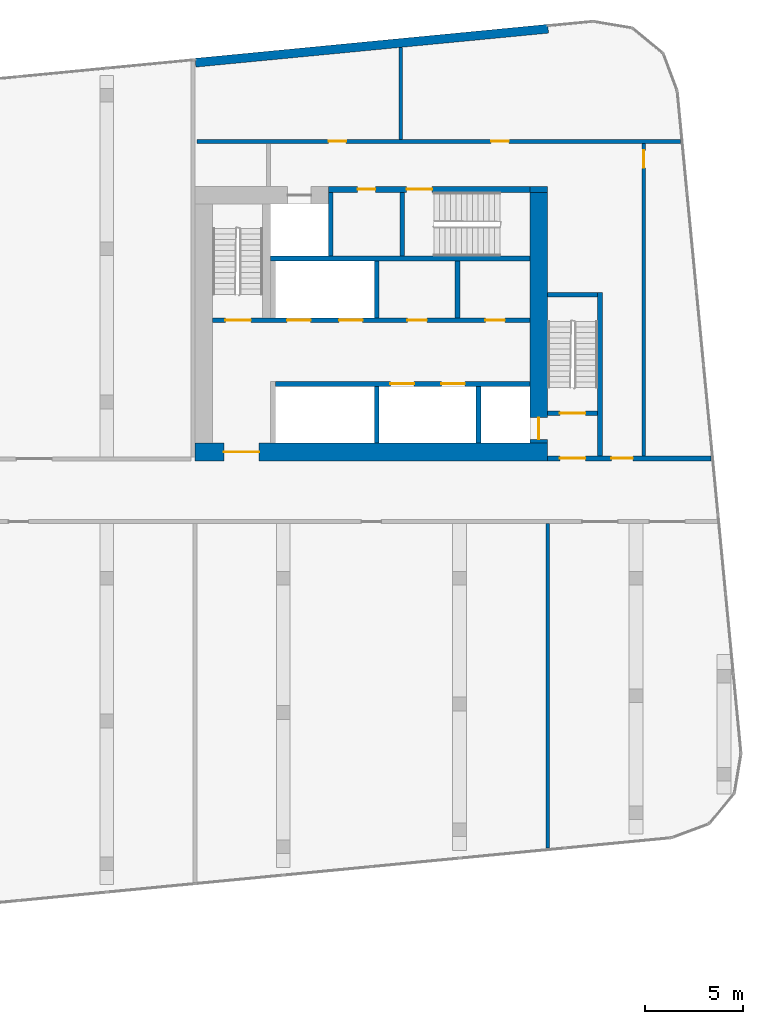
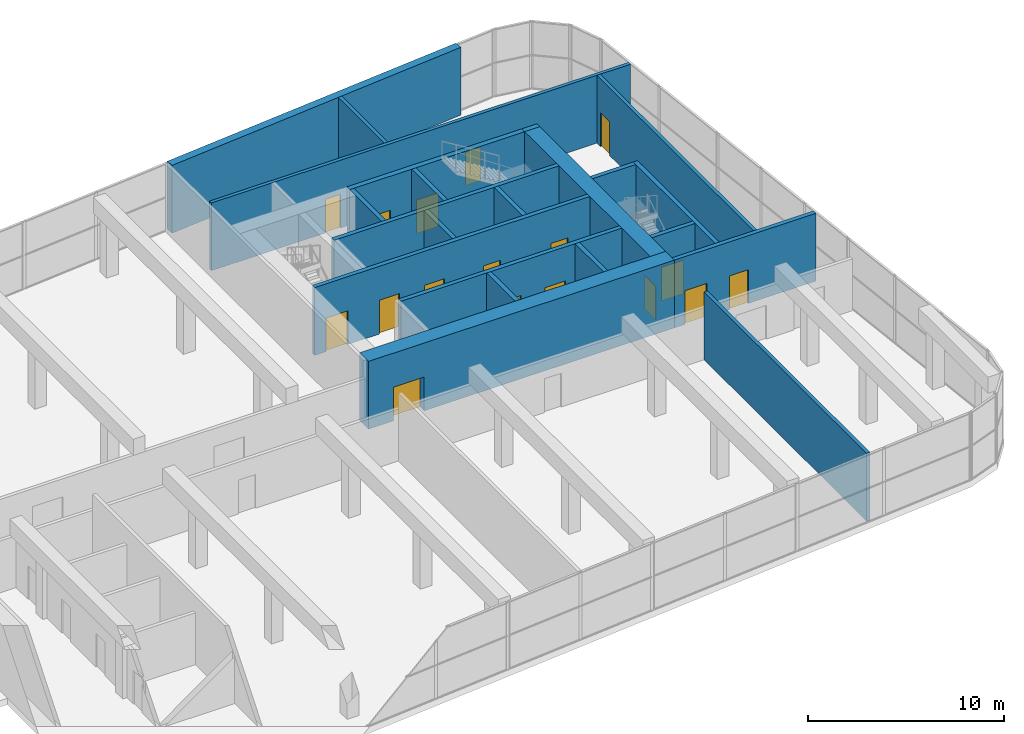
# One storey, part 16 of 21: 22 walls, 17 doors, 17 openings.
"""IFC4 building model written with IfcOpenShell, lengths in metres."""

from ifc_helpers import new_model, si_unit, direction, frame, frame_2d, origin, place, context, subcontext, project, spatial, rectangle, extrude, material, layer, layer_set, type_object, element, fill, save


model = new_model("IFC4")

# Units and contexts
model_context = context("Model", 3, precision=1e-05, world=origin(), true_north=direction((0.0, 1.0)))
body_context = subcontext(model_context, "Body", "Model", "MODEL_VIEW")
ifc_project = project(units=[si_unit("LENGTHUNIT", "METRE"), si_unit("AREAUNIT", "SQUARE_METRE"), si_unit("VOLUMEUNIT", "CUBIC_METRE"), si_unit("PLANEANGLEUNIT", "RADIAN"), si_unit("MASSUNIT", "GRAM", prefix="KILO")], contexts=[model_context])

# Site, building, storey
site_placement = place(None, origin())
site = spatial("IfcSite", under=ifc_project, at=site_placement, CompositionType="ELEMENT")
building_placement = place(site_placement, origin())
building = spatial("IfcBuilding", under=site, at=building_placement, Name="Kajstack Hotel Tower", CompositionType="ELEMENT")
storey_placement = place(building_placement, frame((0.0, 0.0, 162.39990234375)))
storey = spatial("IfcBuildingStorey", under=building, at=storey_placement, Name="L37", CompositionType="ELEMENT", Elevation=162.39990234375)

# Wall, opening, door
ifc_material_1 = material(Name="Concrete C60/75", Category="concrete")
ifc_layer_1 = layer(ifc_material_1, 0.89990234375)
ifc_layer_set_1 = layer_set([ifc_layer_1], Name="Core wall 900")
wall_type_1 = type_object("IfcWallType", Name="Core wall 900", PredefinedType="SHEAR", material=ifc_layer_set_1)
wall_1_placement = place(storey_placement, frame((13.5, 1.949951171875, 0.0), z_axis=(0.0, 0.0, 1.0), x_axis=(1.0, 0.0, 0.0)))
wall_1 = element("IfcWall", 1, at=wall_1_placement, inside=storey, type_object=wall_type_1, Name="Core wall E RN", PredefinedType="SHEAR", context=body_context, shape_type="SweptSolid", body=[
    extrude(rectangle(XDim=18.0, YDim=0.89990234375, at=frame_2d((9.0, 0.0))), origin(), (0.0, 0.0, 1.0), 4.22021484375),
])
opening_1_placement = place(wall_1_placement, frame((1.47509765625, 0.0, 0.0)))
opening_1 = element("IfcOpeningElement", 2, at=opening_1_placement, cuts=wall_1, Name="Opening 37E07", PredefinedType="OPENING", context=body_context, shape_type="SweptSolid", body=[
    extrude(rectangle(XDim=1.800048828125, YDim=2.10009765625, at=frame_2d((0.89990234375, 1.050048828125))), frame((0.0, 0.4599609375, 0.0), z_axis=(0.0, -1.0, 0.0), x_axis=(1.0, 0.0, 0.0)), (0.0, 0.0, 1.0), 0.919921875),
])
ifc_material_2 = material(Name="Glazed steel frame, fire-rated glass", Category="steel")
door_type_1 = type_object("IfcDoorType", Name="Lobby double door 1800", OperationType="DOUBLE_DOOR_DOUBLE_SWING", PredefinedType="DOOR", material=ifc_material_2)
door_1_placement = place(opening_1_placement, origin())
door_1 = element("IfcDoor", 3, at=door_1_placement, inside=storey, type_object=door_type_1, Name="Door 37E07", OperationType="DOUBLE_DOOR_DOUBLE_SWING", OverallHeight=2.10009765625, OverallWidth=1.800048828125, PredefinedType="DOOR", context=body_context, shape_type="SweptSolid", body=[
    extrude(rectangle(XDim=1.800048828125, YDim=2.10009765625, at=frame_2d((0.89990234375, 1.050048828125))), frame((0.0, 0.02490234375, 0.0), z_axis=(0.0, -1.0, 0.0), x_axis=(1.0, 0.0, 0.0)), (0.0, 0.0, 1.0), 0.050048828125),
])
fill(opening_1, door_1)

# Wall
wall_2_placement = place(storey_placement, frame((30.60009765625, 15.35009765625, 0.0), z_axis=(0.0, 0.0, 1.0), x_axis=(1.0, 0.0, 0.0)))
element("IfcWall", 4, at=wall_2_placement, inside=storey, type_object=wall_type_1, Name="Core wall E RSW", PredefinedType="SHEAR", context=body_context, shape_type="SweptSolid", body=[
    extrude(rectangle(XDim=0.89990234375, YDim=0.300048828125, at=frame_2d((0.449951171875, 0.0))), origin(), (0.0, 0.0, 1.0), 4.22021484375),
])

# Wall, opening, door
wall_3_placement = place(storey_placement, frame((31.050048828125, 2.39990234375, 0.0), z_axis=(0.0, 0.0, 1.0), x_axis=(0.0, 1.0, 0.0)))
wall_3 = element("IfcWall", 5, at=wall_3_placement, inside=storey, type_object=wall_type_1, Name="Core wall E RW", PredefinedType="SHEAR", context=body_context, shape_type="SweptSolid", body=[
    extrude(rectangle(XDim=12.800048828125, YDim=0.89990234375, at=frame_2d((6.39990234375, 0.0))), origin(), (0.0, 0.0, 1.0), 4.22021484375),
])
opening_2_placement = place(wall_3_placement, frame((0.199951171875, 0.0, 0.0)))
opening_2 = element("IfcOpeningElement", 6, at=opening_2_placement, cuts=wall_3, Name="Opening LD-FF2", PredefinedType="OPENING", context=body_context, shape_type="SweptSolid", body=[
    extrude(rectangle(XDim=1.10009765625, YDim=2.10009765625, at=frame_2d((0.550048828125, 1.050048828125))), frame((0.0, 0.4599609375, 0.0), z_axis=(0.0, -1.0, 0.0), x_axis=(1.0, 0.0, 0.0)), (0.0, 0.0, 1.0), 0.919921875),
])
ifc_material_3 = material(Name="Stainless steel", Category="steel")
door_type_2 = type_object("IfcDoorType", Name="Fire-fighting lift landing door 1100", OperationType="SLIDING_TO_LEFT", PredefinedType="DOOR", material=ifc_material_3)
door_2_placement = place(opening_2_placement, origin())
door_2 = element("IfcDoor", 7, at=door_2_placement, inside=storey, type_object=door_type_2, Name="Landing door FF2", OperationType="SLIDING_TO_LEFT", OverallHeight=2.10009765625, OverallWidth=1.10009765625, PredefinedType="DOOR", context=body_context, shape_type="SweptSolid", body=[
    extrude(rectangle(XDim=1.10009765625, YDim=2.10009765625, at=frame_2d((0.550048828125, 1.050048828125))), frame((0.0, 0.02490234375, 0.0), z_axis=(0.0, -1.0, 0.0), x_axis=(1.0, 0.0, 0.0)), (0.0, 0.0, 1.0), 0.050048828125),
])
fill(opening_2, door_2)

# Walls
ifc_material_4 = material(Name="Concrete C40/50", Category="concrete")
ifc_layer_2 = layer(ifc_material_4, 0.449951171875)
ifc_layer_set_2 = layer_set([ifc_layer_2], Name="EW-CORE")
wall_type_2 = type_object("IfcWallType", Name="EW-CORE", PredefinedType="SOLIDWALL", material=ifc_layer_set_2)
wall_4_placement = place(storey_placement, frame((31.521484375, 23.55078125, 0.0), z_axis=(0.0, 0.0, 1.0), x_axis=(-0.995395166513, -0.095856468129, 0.0)))
element("IfcWall", 8, at=wall_4_placement, inside=storey, type_object=wall_type_2, Name="E-wall-L37-12-01", PredefinedType="SOLIDWALL", context=body_context, shape_type="SweptSolid", body=[
    extrude(rectangle(XDim=18.083251953125, YDim=0.449951171875, at=frame_2d((9.04150390625, 0.0))), origin(), (0.0, 0.0, 1.0), 4.22021484375),
])
ifc_material_5 = material(Name="Concrete C50/60", Category="concrete")
ifc_layer_3 = layer(ifc_material_5, 0.300048828125)
ifc_layer_set_3 = layer_set([ifc_layer_3], Name="Hoistway divider wall 300")
wall_type_3 = type_object("IfcWallType", Name="Hoistway divider wall 300", PredefinedType="SHEAR", material=ifc_layer_set_3)
wall_5_placement = place(storey_placement, frame((22.77490234375, 2.39990234375, 0.0), z_axis=(0.0, 0.0, 1.0), x_axis=(0.0, 1.0, 0.0)))
element("IfcWall", 9, at=wall_5_placement, inside=storey, type_object=wall_type_3, Name="Core wall E AP2", PredefinedType="SHEAR", context=body_context, shape_type="SweptSolid", body=[
    extrude(rectangle(XDim=2.900146484375, YDim=0.25, at=frame_2d((1.4501953125, 0.0))), origin(), (0.0, 0.0, 1.0), 4.22021484375),
])
wall_6_placement = place(storey_placement, frame((22.77490234375, 8.800048828125, 0.0), z_axis=(0.0, 0.0, 1.0), x_axis=(0.0, 1.0, 0.0)))
element("IfcWall", 10, at=wall_6_placement, inside=storey, type_object=wall_type_3, Name="Core wall E BP2", PredefinedType="SHEAR", context=body_context, shape_type="SweptSolid", body=[
    extrude(rectangle(XDim=2.89990234375, YDim=0.25, at=frame_2d((1.449951171875, 0.0))), origin(), (0.0, 0.0, 1.0), 4.22021484375),
])
ifc_material_6 = material(Name="Gypsum board on steel studs, mineral wool", Category="steel")
ifc_layer_4 = layer(ifc_material_6, 0.199951171875)
ifc_layer_set_4 = layer_set([ifc_layer_4], Name="Public partition 200")
wall_type_4 = type_object("IfcWallType", Name="Public partition 200", PredefinedType="PARTITIONING", material=ifc_layer_set_4)
wall_7_placement = place(storey_placement, frame((31.5, -18.268798828125, 0.0), z_axis=(0.0, 0.0, 1.0), x_axis=(0.0, 1.0, 0.0)))
element("IfcWall", 11, at=wall_7_placement, inside=storey, type_object=wall_type_4, Name="Partition SPX2", PredefinedType="PARTITIONING", context=body_context, shape_type="SweptSolid", body=[
    extrude(rectangle(XDim=16.56884765625, YDim=0.199951171875, at=frame_2d((8.284423828125, 0.0))), origin(), (0.0, 0.0, 1.0), 4.22021484375),
])
ifc_material_7 = material(Name="Concrete block masonry", Category="masonry")
ifc_layer_5 = layer(ifc_material_7, 0.25)
ifc_layer_set_5 = layer_set([ifc_layer_5], Name="Riser partition 250")
wall_type_5 = type_object("IfcWallType", Name="Riser partition 250", PredefinedType="PARTITIONING", material=ifc_layer_set_5)
wall_8_placement = place(storey_placement, frame((26.89990234375, 8.800048828125, 0.0), z_axis=(0.0, 0.0, 1.0), x_axis=(0.0, 1.0, 0.0)))
element("IfcWall", 12, at=wall_8_placement, inside=storey, type_object=wall_type_5, Name="Partition E BF0", PredefinedType="PARTITIONING", context=body_context, shape_type="SweptSolid", body=[
    extrude(rectangle(XDim=2.89990234375, YDim=0.25, at=frame_2d((1.449951171875, 0.0))), origin(), (0.0, 0.0, 1.0), 4.22021484375),
])

# Wall, openings, doors
ifc_layer_6 = layer(ifc_material_6, 0.199951171875)
ifc_layer_set_6 = layer_set([ifc_layer_6], Name="Service partition 200")
wall_type_6 = type_object("IfcWallType", Name="Service partition 200", PredefinedType="PARTITIONING", material=ifc_layer_set_6)
wall_9_placement = place(storey_placement, frame((31.5, 1.625, 0.0), z_axis=(0.0, 0.0, 1.0), x_axis=(1.0, 0.0, 0.0)))
wall_9 = element("IfcWall", 13, at=wall_9_placement, inside=storey, type_object=wall_type_6, Name="Partition E SN", PredefinedType="PARTITIONING", context=body_context, shape_type="SweptSolid", body=[
    extrude(rectangle(XDim=8.336669921875, YDim=0.25, at=frame_2d((4.16845703125, 0.0))), origin(), (0.0, 0.0, 1.0), 4.22021484375),
])
opening_3_placement = place(wall_9_placement, frame((0.625, 0.0, 0.0)))
opening_3 = element("IfcOpeningElement", 14, at=opening_3_placement, cuts=wall_9, Name="Opening 37E08", PredefinedType="OPENING", context=body_context, shape_type="SweptSolid", body=[
    extrude(rectangle(XDim=1.300048828125, YDim=2.10009765625, at=frame_2d((0.64990234375, 1.050048828125))), frame((0.0, 0.135009765625, 0.0), z_axis=(0.0, -1.0, 0.0), x_axis=(1.0, 0.0, 0.0)), (0.0, 0.0, 1.0), 0.27001953125),
])
opening_4_placement = place(wall_9_placement, frame((3.25, 0.0, 0.0)))
opening_4 = element("IfcOpeningElement", 15, at=opening_4_placement, cuts=wall_9, Name="Opening 37E10", PredefinedType="OPENING", context=body_context, shape_type="SweptSolid", body=[
    extrude(rectangle(XDim=1.10009765625, YDim=2.10009765625, at=frame_2d((0.550048828125, 1.050048828125))), frame((0.0, 0.135009765625, 0.0), z_axis=(0.0, -1.0, 0.0), x_axis=(1.0, 0.0, 0.0)), (0.0, 0.0, 1.0), 0.27001953125),
])
ifc_material_8 = material(Name="Steel leaf, fire-rated", Category="steel")
door_type_3 = type_object("IfcDoorType", Name="Fire lobby door 1300", OperationType="SINGLE_SWING_LEFT", PredefinedType="DOOR", material=ifc_material_8)
door_3_placement = place(opening_3_placement, origin())
door_3 = element("IfcDoor", 16, at=door_3_placement, inside=storey, type_object=door_type_3, Name="Door 37E08", OperationType="SINGLE_SWING_LEFT", OverallHeight=2.10009765625, OverallWidth=1.300048828125, PredefinedType="DOOR", context=body_context, shape_type="SweptSolid", body=[
    extrude(rectangle(XDim=1.300048828125, YDim=2.10009765625, at=frame_2d((0.64990234375, 1.050048828125))), frame((0.0, 0.02490234375, 0.0), z_axis=(0.0, -1.0, 0.0), x_axis=(1.0, 0.0, 0.0)), (0.0, 0.0, 1.0), 0.050048828125),
])
fill(opening_3, door_3)
ifc_material_9 = material(Name="Timber leaf, fire-rated", Category="wood")
door_type_4 = type_object("IfcDoorType", Name="Service corridor door 1100", OperationType="SINGLE_SWING_LEFT", PredefinedType="DOOR", material=ifc_material_9)
door_4_placement = place(opening_4_placement, origin())
door_4 = element("IfcDoor", 17, at=door_4_placement, inside=storey, type_object=door_type_4, Name="Door 37E10", OperationType="SINGLE_SWING_LEFT", OverallHeight=2.10009765625, OverallWidth=1.10009765625, PredefinedType="DOOR", context=body_context, shape_type="SweptSolid", body=[
    extrude(rectangle(XDim=1.10009765625, YDim=2.10009765625, at=frame_2d((0.550048828125, 1.050048828125))), frame((0.0, 0.02490234375, 0.0), z_axis=(0.0, -1.0, 0.0), x_axis=(1.0, 0.0, 0.0)), (0.0, 0.0, 1.0), 0.050048828125),
])
fill(opening_4, door_4)

# Wall, opening, door
wall_10_placement = place(storey_placement, frame((36.39990234375, 1.75, 0.0), z_axis=(0.0, 0.0, 1.0), x_axis=(0.0, 1.0, 0.0)))
wall_10 = element("IfcWall", 18, at=wall_10_placement, inside=storey, type_object=wall_type_6, Name="Partition E WRE", PredefinedType="PARTITIONING", context=body_context, shape_type="SweptSolid", body=[
    extrude(rectangle(XDim=15.949951171875, YDim=0.199951171875, at=frame_2d((7.97509765625, 0.0))), origin(), (0.0, 0.0, 1.0), 4.22021484375),
])
opening_5_placement = place(wall_10_placement, frame((14.699951171875, 0.0, 0.0)))
opening_5 = element("IfcOpeningElement", 19, at=opening_5_placement, cuts=wall_10, Name="Opening 37E18", PredefinedType="OPENING", context=body_context, shape_type="SweptSolid", body=[
    extrude(rectangle(XDim=0.89990234375, YDim=2.10009765625, at=frame_2d((0.449951171875, 1.050048828125))), frame((0.0, 0.10986328125, 0.0), z_axis=(0.0, -1.0, 0.0), x_axis=(1.0, 0.0, 0.0)), (0.0, 0.0, 1.0), 0.219970703125),
])
door_type_5 = type_object("IfcDoorType", Name="Service door 900", OperationType="SINGLE_SWING_LEFT", PredefinedType="DOOR", material=ifc_material_9)
door_5_placement = place(opening_5_placement, origin())
door_5 = element("IfcDoor", 20, at=door_5_placement, inside=storey, type_object=door_type_5, Name="Door 37E18", OperationType="SINGLE_SWING_RIGHT", OverallHeight=2.10009765625, OverallWidth=0.89990234375, PredefinedType="DOOR", context=body_context, shape_type="SweptSolid", body=[
    extrude(rectangle(XDim=0.89990234375, YDim=2.10009765625, at=frame_2d((0.449951171875, 1.050048828125))), frame((0.0, 0.02490234375, 0.0), z_axis=(0.0, -1.0, 0.0), x_axis=(1.0, 0.0, 0.0)), (0.0, 0.0, 1.0), 0.050048828125),
])
fill(opening_5, door_5)

# Wall, openings, doors
wall_11_placement = place(storey_placement, frame((13.60009765625, 17.800048828125, 0.0), z_axis=(0.0, 0.0, 1.0), x_axis=(1.0, 0.0, 0.0)))
wall_11 = element("IfcWall", 21, at=wall_11_placement, inside=storey, type_object=wall_type_6, Name="Partition E SLN", PredefinedType="PARTITIONING", context=body_context, shape_type="SweptSolid", body=[
    extrude(rectangle(XDim=24.67919921875, YDim=0.199951171875, at=frame_2d((12.339599609375, 0.0))), origin(), (0.0, 0.0, 1.0), 4.22021484375),
])
opening_6_placement = place(wall_11_placement, frame((15.012451171875, 0.0, 0.0)))
opening_6 = element("IfcOpeningElement", 22, at=opening_6_placement, cuts=wall_11, Name="Opening 37E16", PredefinedType="OPENING", context=body_context, shape_type="SweptSolid", body=[
    extrude(rectangle(XDim=0.89990234375, YDim=2.10009765625, at=frame_2d((0.449951171875, 1.050048828125))), frame((0.0, 0.10986328125, 0.0), z_axis=(0.0, -1.0, 0.0), x_axis=(1.0, 0.0, 0.0)), (0.0, 0.0, 1.0), 0.219970703125),
])
opening_7_placement = place(wall_11_placement, frame((6.71240234375, 0.0, 0.0)))
opening_7 = element("IfcOpeningElement", 23, at=opening_7_placement, cuts=wall_11, Name="Opening 37E17", PredefinedType="OPENING", context=body_context, shape_type="SweptSolid", body=[
    extrude(rectangle(XDim=0.89990234375, YDim=2.10009765625, at=frame_2d((0.449951171875, 1.050048828125))), frame((0.0, 0.10986328125, 0.0), z_axis=(0.0, -1.0, 0.0), x_axis=(1.0, 0.0, 0.0)), (0.0, 0.0, 1.0), 0.219970703125),
])
door_6_placement = place(opening_6_placement, origin())
door_6 = element("IfcDoor", 24, at=door_6_placement, inside=storey, type_object=door_type_5, Name="Door 37E16", OperationType="SINGLE_SWING_LEFT", OverallHeight=2.10009765625, OverallWidth=0.89990234375, PredefinedType="DOOR", context=body_context, shape_type="SweptSolid", body=[
    extrude(rectangle(XDim=0.89990234375, YDim=2.10009765625, at=frame_2d((0.449951171875, 1.050048828125))), frame((0.0, 0.02490234375, 0.0), z_axis=(0.0, -1.0, 0.0), x_axis=(1.0, 0.0, 0.0)), (0.0, 0.0, 1.0), 0.050048828125),
])
fill(opening_6, door_6)
door_7_placement = place(opening_7_placement, origin())
door_7 = element("IfcDoor", 25, at=door_7_placement, inside=storey, type_object=door_type_5, Name="Door 37E17", OperationType="SINGLE_SWING_LEFT", OverallHeight=2.10009765625, OverallWidth=0.89990234375, PredefinedType="DOOR", context=body_context, shape_type="SweptSolid", body=[
    extrude(rectangle(XDim=0.89990234375, YDim=2.10009765625, at=frame_2d((0.449951171875, 1.050048828125))), frame((0.0, 0.02490234375, 0.0), z_axis=(0.0, -1.0, 0.0), x_axis=(1.0, 0.0, 0.0)), (0.0, 0.0, 1.0), 0.050048828125),
])
fill(opening_7, door_7)

# Wall
wall_12_placement = place(storey_placement, frame((24.0, 17.89990234375, 0.0), z_axis=(0.0, 0.0, 1.0), x_axis=(0.0, 1.0, 0.0)))
element("IfcWall", 26, at=wall_12_placement, inside=storey, type_object=wall_type_6, Name="Partition E SLP0", PredefinedType="PARTITIONING", context=body_context, shape_type="SweptSolid", body=[
    extrude(rectangle(XDim=4.701416015625, YDim=0.199951171875, at=frame_2d((2.3505859375, 0.0))), origin(), (0.0, 0.0, 1.0), 4.22021484375),
])

# Wall, openings, doors
ifc_layer_7 = layer(ifc_material_5, 0.25)
ifc_layer_set_7 = layer_set([ifc_layer_7], Name="Shaft wall 250")
wall_type_7 = type_object("IfcWallType", Name="Shaft wall 250", PredefinedType="SHEAR", material=ifc_layer_set_7)
wall_13_placement = place(storey_placement, frame((20.300048828125, 15.35009765625, 0.0), z_axis=(0.0, 0.0, 1.0), x_axis=(1.0, 0.0, 0.0)))
wall_13 = element("IfcWall", 27, at=wall_13_placement, inside=storey, type_object=wall_type_7, Name="Core wall E RSS", PredefinedType="SHEAR", context=body_context, shape_type="SweptSolid", body=[
    extrude(rectangle(XDim=10.300048828125, YDim=0.300048828125, at=frame_2d((5.14990234375, 0.0))), origin(), (0.0, 0.0, 1.0), 4.22021484375),
])
opening_8_placement = place(wall_13_placement, frame((4.0, 0.0, 0.0)))
opening_8 = element("IfcOpeningElement", 28, at=opening_8_placement, cuts=wall_13, Name="Opening 37E12", PredefinedType="OPENING", context=body_context, shape_type="SweptSolid", body=[
    extrude(rectangle(XDim=1.300048828125, YDim=2.10009765625, at=frame_2d((0.64990234375, 1.050048828125))), frame((0.0, 0.159912109375, 0.0), z_axis=(0.0, -1.0, 0.0), x_axis=(1.0, 0.0, 0.0)), (0.0, 0.0, 1.0), 0.320068359375),
])
opening_9_placement = place(wall_13_placement, frame((1.5, 0.0, 0.0)))
opening_9 = element("IfcOpeningElement", 29, at=opening_9_placement, cuts=wall_13, Name="Opening 37E13", PredefinedType="OPENING", context=body_context, shape_type="SweptSolid", body=[
    extrude(rectangle(XDim=0.89990234375, YDim=2.10009765625, at=frame_2d((0.449951171875, 1.050048828125))), frame((0.0, 0.159912109375, 0.0), z_axis=(0.0, -1.0, 0.0), x_axis=(1.0, 0.0, 0.0)), (0.0, 0.0, 1.0), 0.320068359375),
])
door_8_placement = place(opening_9_placement, origin())
door_8 = element("IfcDoor", 30, at=door_8_placement, inside=storey, type_object=door_type_5, Name="Door 37E13", OperationType="SINGLE_SWING_RIGHT", OverallHeight=2.10009765625, OverallWidth=0.89990234375, PredefinedType="DOOR", context=body_context, shape_type="SweptSolid", body=[
    extrude(rectangle(XDim=0.89990234375, YDim=2.10009765625, at=frame_2d((0.449951171875, 1.050048828125))), frame((0.0, 0.02490234375, 0.0), z_axis=(0.0, -1.0, 0.0), x_axis=(1.0, 0.0, 0.0)), (0.0, 0.0, 1.0), 0.050048828125),
])
fill(opening_9, door_8)
door_type_6 = type_object("IfcDoorType", Name="Stair door 1300", OperationType="SINGLE_SWING_LEFT", PredefinedType="DOOR", material=ifc_material_8)
door_9_placement = place(opening_8_placement, origin())
door_9 = element("IfcDoor", 31, at=door_9_placement, inside=storey, type_object=door_type_6, Name="Door 37E12", OperationType="SINGLE_SWING_LEFT", OverallHeight=2.10009765625, OverallWidth=1.300048828125, PredefinedType="DOOR", context=body_context, shape_type="SweptSolid", body=[
    extrude(rectangle(XDim=1.300048828125, YDim=2.10009765625, at=frame_2d((0.64990234375, 1.050048828125))), frame((0.0, 0.02490234375, 0.0), z_axis=(0.0, -1.0, 0.0), x_axis=(1.0, 0.0, 0.0)), (0.0, 0.0, 1.0), 0.050048828125),
])
fill(opening_8, door_9)

wall_14_placement = place(storey_placement, frame((17.60009765625, 5.425048828125, 0.0), z_axis=(0.0, 0.0, 1.0), x_axis=(1.0, 0.0, 0.0)))
wall_14 = element("IfcWall", 32, at=wall_14_placement, inside=storey, type_object=wall_type_7, Name="Core wall E FA", PredefinedType="SHEAR", context=body_context, shape_type="SweptSolid", body=[
    extrude(rectangle(XDim=13.0, YDim=0.25, at=frame_2d((6.5, 0.0))), origin(), (0.0, 0.0, 1.0), 4.22021484375),
])
opening_10_placement = place(wall_14_placement, frame((8.47509765625, 0.0, 0.0)))
opening_10 = element("IfcOpeningElement", 33, at=opening_10_placement, cuts=wall_14, Name="Opening LD-MR7", PredefinedType="OPENING", context=body_context, shape_type="SweptSolid", body=[
    extrude(rectangle(XDim=1.199951171875, YDim=2.10009765625, at=frame_2d((0.60009765625, 1.050048828125))), frame((0.0, 0.135009765625, 0.0), z_axis=(0.0, -1.0, 0.0), x_axis=(1.0, 0.0, 0.0)), (0.0, 0.0, 1.0), 0.27001953125),
])
opening_11_placement = place(wall_14_placement, frame((5.875, 0.0, 0.0)))
opening_11 = element("IfcOpeningElement", 34, at=opening_11_placement, cuts=wall_14, Name="Opening LD-MR8", PredefinedType="OPENING", context=body_context, shape_type="SweptSolid", body=[
    extrude(rectangle(XDim=1.199951171875, YDim=2.10009765625, at=frame_2d((0.60009765625, 1.050048828125))), frame((0.0, 0.135009765625, 0.0), z_axis=(0.0, -1.0, 0.0), x_axis=(1.0, 0.0, 0.0)), (0.0, 0.0, 1.0), 0.27001953125),
])
door_type_7 = type_object("IfcDoorType", Name="Lift landing door 1200", OperationType="SLIDING_TO_LEFT", PredefinedType="DOOR", material=ifc_material_3)
door_10_placement = place(opening_10_placement, origin())
door_10 = element("IfcDoor", 35, at=door_10_placement, inside=storey, type_object=door_type_7, Name="Landing door MR7", OperationType="SLIDING_TO_LEFT", OverallHeight=2.10009765625, OverallWidth=1.199951171875, PredefinedType="DOOR", context=body_context, shape_type="SweptSolid", body=[
    extrude(rectangle(XDim=1.199951171875, YDim=2.10009765625, at=frame_2d((0.60009765625, 1.050048828125))), frame((0.0, 0.02490234375, 0.0), z_axis=(0.0, -1.0, 0.0), x_axis=(1.0, 0.0, 0.0)), (0.0, 0.0, 1.0), 0.050048828125),
])
fill(opening_10, door_10)
door_11_placement = place(opening_11_placement, origin())
door_11 = element("IfcDoor", 36, at=door_11_placement, inside=storey, type_object=door_type_7, Name="Landing door MR8", OperationType="SLIDING_TO_RIGHT", OverallHeight=2.10009765625, OverallWidth=1.199951171875, PredefinedType="DOOR", context=body_context, shape_type="SweptSolid", body=[
    extrude(rectangle(XDim=1.199951171875, YDim=2.10009765625, at=frame_2d((0.60009765625, 1.050048828125))), frame((0.0, 0.02490234375, 0.0), z_axis=(0.0, -1.0, 0.0), x_axis=(1.0, 0.0, 0.0)), (0.0, 0.0, 1.0), 0.050048828125),
])
fill(opening_11, door_11)

# Wall
wall_15_placement = place(storey_placement, frame((27.97509765625, 2.39990234375, 0.0), z_axis=(0.0, 0.0, 1.0), x_axis=(0.0, 1.0, 0.0)))
element("IfcWall", 37, at=wall_15_placement, inside=storey, type_object=wall_type_7, Name="Core wall E AP0", PredefinedType="SHEAR", context=body_context, shape_type="SweptSolid", body=[
    extrude(rectangle(XDim=2.900146484375, YDim=0.25, at=frame_2d((1.4501953125, 0.0))), origin(), (0.0, 0.0, 1.0), 4.22021484375),
])

# Wall, openings, doors
wall_16_placement = place(storey_placement, frame((14.39990234375, 8.675048828125, 0.0), z_axis=(0.0, 0.0, 1.0), x_axis=(1.0, 0.0, 0.0)))
wall_16 = element("IfcWall", 38, at=wall_16_placement, inside=storey, type_object=wall_type_7, Name="Core wall E FB", PredefinedType="SHEAR", context=body_context, shape_type="SweptSolid", body=[
    extrude(rectangle(XDim=16.2001953125, YDim=0.25, at=frame_2d((8.10009765625, 0.0))), origin(), (0.0, 0.0, 1.0), 4.22021484375),
])
opening_12_placement = place(wall_16_placement, frame((6.449951171875, 0.0, 0.0)))
opening_12 = element("IfcOpeningElement", 39, at=opening_12_placement, cuts=wall_16, Name="Opening LD-MR5", PredefinedType="OPENING", context=body_context, shape_type="SweptSolid", body=[
    extrude(rectangle(XDim=1.199951171875, YDim=2.10009765625, at=frame_2d((0.60009765625, 1.050048828125))), frame((0.0, 0.135009765625, 0.0), z_axis=(0.0, -1.0, 0.0), x_axis=(1.0, 0.0, 0.0)), (0.0, 0.0, 1.0), 0.27001953125),
])
opening_13_placement = place(wall_16_placement, frame((3.800048828125, 0.0, 0.0)))
opening_13 = element("IfcOpeningElement", 40, at=opening_13_placement, cuts=wall_16, Name="Opening LD-MR6", PredefinedType="OPENING", context=body_context, shape_type="SweptSolid", body=[
    extrude(rectangle(XDim=1.199951171875, YDim=2.10009765625, at=frame_2d((0.60009765625, 1.050048828125))), frame((0.0, 0.135009765625, 0.0), z_axis=(0.0, -1.0, 0.0), x_axis=(1.0, 0.0, 0.0)), (0.0, 0.0, 1.0), 0.27001953125),
])
opening_14_placement = place(wall_16_placement, frame((0.64990234375, 0.0, 0.0)))
opening_14 = element("IfcOpeningElement", 41, at=opening_14_placement, cuts=wall_16, Name="Opening 37E11", PredefinedType="OPENING", context=body_context, shape_type="SweptSolid", body=[
    extrude(rectangle(XDim=1.300048828125, YDim=2.10009765625, at=frame_2d((0.64990234375, 1.050048828125))), frame((0.0, 0.135009765625, 0.0), z_axis=(0.0, -1.0, 0.0), x_axis=(1.0, 0.0, 0.0)), (0.0, 0.0, 1.0), 0.27001953125),
])
opening_15_placement = place(wall_16_placement, frame((13.91259765625, 0.0, 0.0)))
opening_15 = element("IfcOpeningElement", 42, at=opening_15_placement, cuts=wall_16, Name="Opening 37E14", PredefinedType="OPENING", context=body_context, shape_type="SweptSolid", body=[
    extrude(rectangle(XDim=1.0, YDim=2.10009765625, at=frame_2d((0.5, 1.050048828125))), frame((0.0, 0.135009765625, 0.0), z_axis=(0.0, -1.0, 0.0), x_axis=(1.0, 0.0, 0.0)), (0.0, 0.0, 1.0), 0.27001953125),
])
opening_16_placement = place(wall_16_placement, frame((9.9375, 0.0, 0.0)))
opening_16 = element("IfcOpeningElement", 43, at=opening_16_placement, cuts=wall_16, Name="Opening 37E15", PredefinedType="OPENING", context=body_context, shape_type="SweptSolid", body=[
    extrude(rectangle(XDim=1.0, YDim=2.10009765625, at=frame_2d((0.5, 1.050048828125))), frame((0.0, 0.135009765625, 0.0), z_axis=(0.0, -1.0, 0.0), x_axis=(1.0, 0.0, 0.0)), (0.0, 0.0, 1.0), 0.27001953125),
])
door_12_placement = place(opening_12_placement, origin())
door_12 = element("IfcDoor", 44, at=door_12_placement, inside=storey, type_object=door_type_7, Name="Landing door MR5", OperationType="SLIDING_TO_LEFT", OverallHeight=2.10009765625, OverallWidth=1.199951171875, PredefinedType="DOOR", context=body_context, shape_type="SweptSolid", body=[
    extrude(rectangle(XDim=1.199951171875, YDim=2.10009765625, at=frame_2d((0.60009765625, 1.050048828125))), frame((0.0, 0.02490234375, 0.0), z_axis=(0.0, -1.0, 0.0), x_axis=(1.0, 0.0, 0.0)), (0.0, 0.0, 1.0), 0.050048828125),
])
fill(opening_12, door_12)
door_13_placement = place(opening_13_placement, origin())
door_13 = element("IfcDoor", 45, at=door_13_placement, inside=storey, type_object=door_type_7, Name="Landing door MR6", OperationType="SLIDING_TO_RIGHT", OverallHeight=2.10009765625, OverallWidth=1.199951171875, PredefinedType="DOOR", context=body_context, shape_type="SweptSolid", body=[
    extrude(rectangle(XDim=1.199951171875, YDim=2.10009765625, at=frame_2d((0.60009765625, 1.050048828125))), frame((0.0, 0.02490234375, 0.0), z_axis=(0.0, -1.0, 0.0), x_axis=(1.0, 0.0, 0.0)), (0.0, 0.0, 1.0), 0.050048828125),
])
fill(opening_13, door_13)
door_type_8 = type_object("IfcDoorType", Name="Service room door 1000", OperationType="SINGLE_SWING_LEFT", PredefinedType="DOOR", material=ifc_material_9)
door_14_placement = place(opening_15_placement, origin())
door_14 = element("IfcDoor", 46, at=door_14_placement, inside=storey, type_object=door_type_8, Name="Door 37E14", OperationType="SINGLE_SWING_LEFT", OverallHeight=2.10009765625, OverallWidth=1.0, PredefinedType="DOOR", context=body_context, shape_type="SweptSolid", body=[
    extrude(rectangle(XDim=1.0, YDim=2.10009765625, at=frame_2d((0.5, 1.050048828125))), frame((0.0, 0.02490234375, 0.0), z_axis=(0.0, -1.0, 0.0), x_axis=(1.0, 0.0, 0.0)), (0.0, 0.0, 1.0), 0.050048828125),
])
fill(opening_15, door_14)
door_15_placement = place(opening_16_placement, origin())
door_15 = element("IfcDoor", 47, at=door_15_placement, inside=storey, type_object=door_type_8, Name="Door 37E15", OperationType="SINGLE_SWING_LEFT", OverallHeight=2.10009765625, OverallWidth=1.0, PredefinedType="DOOR", context=body_context, shape_type="SweptSolid", body=[
    extrude(rectangle(XDim=1.0, YDim=2.10009765625, at=frame_2d((0.5, 1.050048828125))), frame((0.0, 0.02490234375, 0.0), z_axis=(0.0, -1.0, 0.0), x_axis=(1.0, 0.0, 0.0)), (0.0, 0.0, 1.0), 0.050048828125),
])
fill(opening_16, door_15)
door_16_placement = place(opening_14_placement, origin())
door_16 = element("IfcDoor", 48, at=door_16_placement, inside=storey, type_object=door_type_6, Name="Door 37E11", OperationType="SINGLE_SWING_LEFT", OverallHeight=2.10009765625, OverallWidth=1.300048828125, PredefinedType="DOOR", context=body_context, shape_type="SweptSolid", body=[
    extrude(rectangle(XDim=1.300048828125, YDim=2.10009765625, at=frame_2d((0.64990234375, 1.050048828125))), frame((0.0, 0.02490234375, 0.0), z_axis=(0.0, -1.0, 0.0), x_axis=(1.0, 0.0, 0.0)), (0.0, 0.0, 1.0), 0.050048828125),
])
fill(opening_14, door_16)

# Walls
wall_17_placement = place(storey_placement, frame((17.35009765625, 11.824951171875, 0.0), z_axis=(0.0, 0.0, 1.0), x_axis=(1.0, 0.0, 0.0)))
element("IfcWall", 49, at=wall_17_placement, inside=storey, type_object=wall_type_7, Name="Core wall E RB", PredefinedType="SHEAR", context=body_context, shape_type="SweptSolid", body=[
    extrude(rectangle(XDim=13.25, YDim=0.25, at=frame_2d((6.625, 0.0))), origin(), (0.0, 0.0, 1.0), 4.22021484375),
])
wall_18_placement = place(storey_placement, frame((20.425048828125, 11.949951171875, 0.0), z_axis=(0.0, 0.0, 1.0), x_axis=(0.0, 1.0, 0.0)))
element("IfcWall", 50, at=wall_18_placement, inside=storey, type_object=wall_type_7, Name="Core wall E SVW", PredefinedType="SHEAR", context=body_context, shape_type="SweptSolid", body=[
    extrude(rectangle(XDim=3.25, YDim=0.25, at=frame_2d((1.625, 0.0))), origin(), (0.0, 0.0, 1.0), 4.22021484375),
])

# Wall, opening, door
ifc_layer_8 = layer(ifc_material_4, 0.25)
ifc_layer_set_8 = layer_set([ifc_layer_8], Name="Stair enclosure wall 250")
wall_type_8 = type_object("IfcWallType", Name="Stair enclosure wall 250", PredefinedType="SHEAR", material=ifc_layer_set_8)
wall_19_placement = place(storey_placement, frame((31.5, 3.925048828125, 0.0), z_axis=(0.0, 0.0, 1.0), x_axis=(1.0, 0.0, 0.0)))
wall_19 = element("IfcWall", 51, at=wall_19_placement, inside=storey, type_object=wall_type_8, Name="Core wall E W1N", PredefinedType="SHEAR", context=body_context, shape_type="SweptSolid", body=[
    extrude(rectangle(XDim=2.550048828125, YDim=0.25, at=frame_2d((1.27490234375, 0.0))), origin(), (0.0, 0.0, 1.0), 4.22021484375),
])
opening_17_placement = place(wall_19_placement, frame((0.625, 0.0, 0.0)))
opening_17 = element("IfcOpeningElement", 52, at=opening_17_placement, cuts=wall_19, Name="Opening 37E09", PredefinedType="OPENING", context=body_context, shape_type="SweptSolid", body=[
    extrude(rectangle(XDim=1.300048828125, YDim=2.10009765625, at=frame_2d((0.64990234375, 1.050048828125))), frame((0.0, 0.135009765625, 0.0), z_axis=(0.0, -1.0, 0.0), x_axis=(1.0, 0.0, 0.0)), (0.0, 0.0, 1.0), 0.27001953125),
])
door_17_placement = place(opening_17_placement, origin())
door_17 = element("IfcDoor", 53, at=door_17_placement, inside=storey, type_object=door_type_6, Name="Door 37E09", OperationType="SINGLE_SWING_LEFT", OverallHeight=2.10009765625, OverallWidth=1.300048828125, PredefinedType="DOOR", context=body_context, shape_type="SweptSolid", body=[
    extrude(rectangle(XDim=1.300048828125, YDim=2.10009765625, at=frame_2d((0.64990234375, 1.050048828125))), frame((0.0, 0.02490234375, 0.0), z_axis=(0.0, -1.0, 0.0), x_axis=(1.0, 0.0, 0.0)), (0.0, 0.0, 1.0), 0.050048828125),
])
fill(opening_17, door_17)

# Walls
wall_20_placement = place(storey_placement, frame((34.175048828125, 1.75, 0.0), z_axis=(0.0, 0.0, 1.0), x_axis=(0.0, 1.0, 0.0)))
element("IfcWall", 54, at=wall_20_placement, inside=storey, type_object=wall_type_8, Name="Core wall E W1W", PredefinedType="SHEAR", context=body_context, shape_type="SweptSolid", body=[
    extrude(rectangle(XDim=8.35009765625, YDim=0.25, at=frame_2d((4.175048828125, 0.0))), origin(), (0.0, 0.0, 1.0), 4.22021484375),
])
wall_21_placement = place(storey_placement, frame((31.5, 9.97509765625, 0.0), z_axis=(0.0, 0.0, 1.0), x_axis=(1.0, 0.0, 0.0)))
element("IfcWall", 55, at=wall_21_placement, inside=storey, type_object=wall_type_8, Name="Core wall E W1S", PredefinedType="SHEAR", context=body_context, shape_type="SweptSolid", body=[
    extrude(rectangle(XDim=2.550048828125, YDim=0.25, at=frame_2d((1.27490234375, 0.0))), origin(), (0.0, 0.0, 1.0), 4.22021484375),
])
ifc_layer_9 = layer(ifc_material_5, 0.35009765625)
ifc_layer_set_9 = layer_set([ifc_layer_9], Name="Stair enclosure wall 350")
wall_type_9 = type_object("IfcWallType", Name="Stair enclosure wall 350", PredefinedType="SHEAR", material=ifc_layer_set_9)
wall_22_placement = place(storey_placement, frame((24.074951171875, 11.949951171875, 0.0), z_axis=(0.0, 0.0, 1.0), x_axis=(0.0, 1.0, 0.0)))
element("IfcWall", 56, at=wall_22_placement, inside=storey, type_object=wall_type_9, Name="Core wall E W3E", PredefinedType="SHEAR", context=body_context, shape_type="SweptSolid", body=[
    extrude(rectangle(XDim=3.25, YDim=0.25, at=frame_2d((1.625, 0.0))), origin(), (0.0, 0.0, 1.0), 4.22021484375),
])

save(model, "model.ifc")
